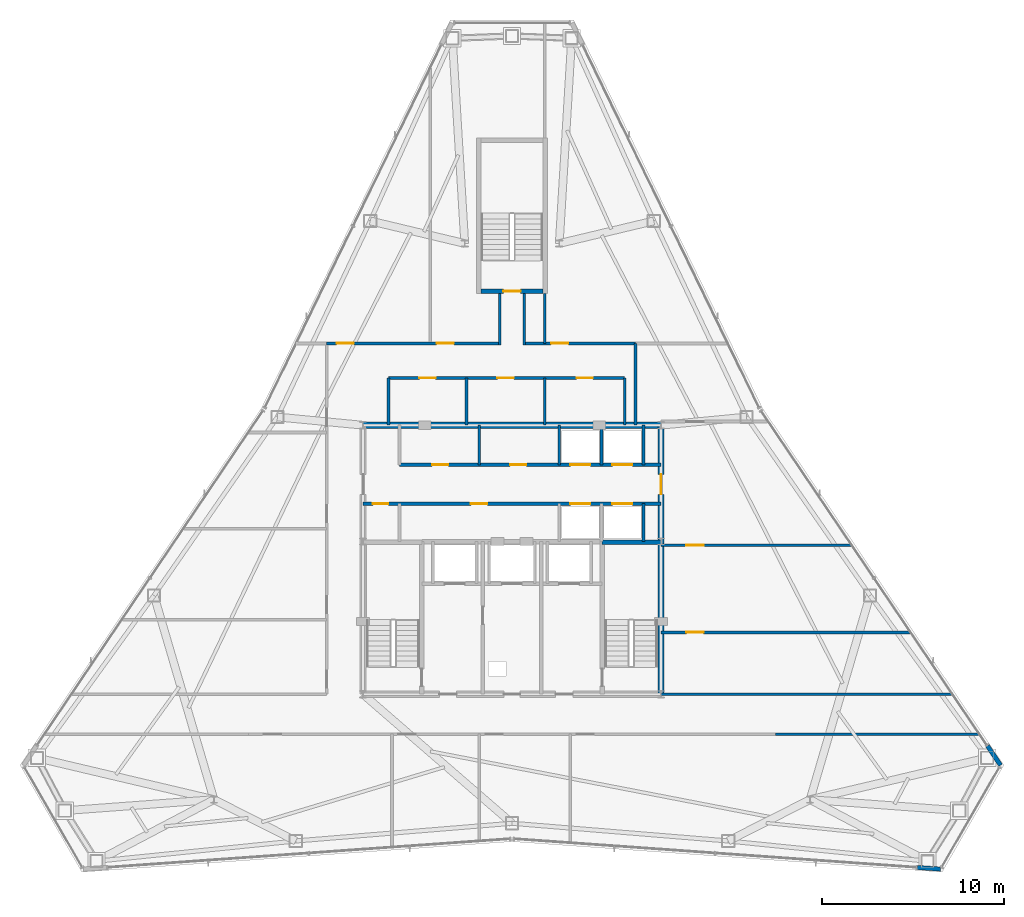
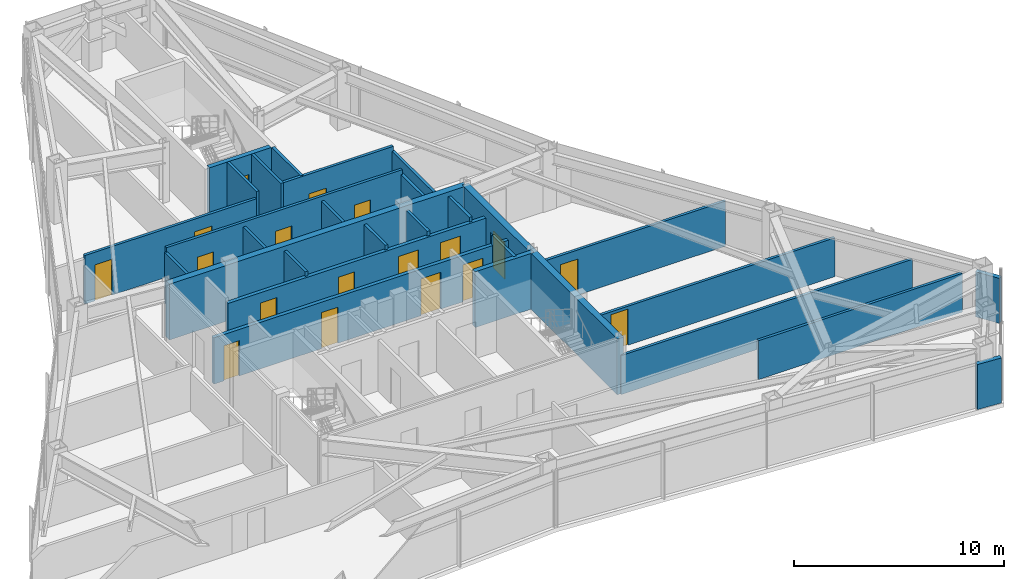
# One storey, part 10 of 12: 28 walls, 18 doors, 18 openings.
"""IFC4 building model written with IfcOpenShell, lengths in metres."""

from ifc_helpers import new_model, si_unit, direction, frame, frame_2d, origin, place, context, subcontext, project, spatial, rectangle, extrude, material, layer, layer_set, type_object, element, fill, save


model = new_model("IFC4")

# Units and contexts
model_context = context("Model", 3, precision=1e-05, world=origin(), true_north=direction((0.0, 1.0)))
body_context = subcontext(model_context, "Body", "Model", "MODEL_VIEW")
ifc_project = project(units=[si_unit("LENGTHUNIT", "METRE"), si_unit("AREAUNIT", "SQUARE_METRE"), si_unit("VOLUMEUNIT", "CUBIC_METRE"), si_unit("PLANEANGLEUNIT", "RADIAN"), si_unit("MASSUNIT", "GRAM", prefix="KILO")], contexts=[model_context])

# Site, building, storey
site_placement = place(None, origin())
site = spatial("IfcSite", under=ifc_project, at=site_placement, CompositionType="ELEMENT")
building_placement = place(site_placement, origin())
building = spatial("IfcBuilding", under=site, at=building_placement, Name="Varakhsha Concourse Tower", CompositionType="ELEMENT")
storey_placement = place(building_placement, frame((0.0, 0.0, 211.89990234375)))
storey = spatial("IfcBuildingStorey", under=building, at=storey_placement, Name="L60", CompositionType="ELEMENT", Elevation=211.89990234375)

# Wall
ifc_material_1 = material(Name="Concrete fc 65 MPa", Category="concrete")
ifc_layer_1 = layer(ifc_material_1, 0.35009765625, Name="WL-CORE-350")
ifc_layer_set_1 = layer_set([ifc_layer_1], Name="Concrete fc 65 MPa")
wall_type_1 = type_object("IfcWallType", Name="WL-CORE-350", PredefinedType="SHEAR", material=ifc_layer_set_1)
wall_1_placement = place(storey_placement, frame((31.800048828125, 31.199951171875, 0.0), z_axis=(0.0, 0.0, 1.0), x_axis=(1.0, 0.0, 0.0)))
element("IfcWall", 1, at=wall_1_placement, inside=storey, type_object=wall_type_1, Name="L60 Wall CWALL-N-L60", PredefinedType="SHEAR", context=body_context, shape_type="SweptSolid", body=[
    extrude(rectangle(XDim=16.39990234375, YDim=0.35009765625, at=frame_2d((8.199951171875, 0.0))), origin(), (0.0, 0.0, 1.0), 3.25),
])

# Wall, opening, door
wall_2_placement = place(storey_placement, frame((48.199951171875, 16.39990234375, 0.0), z_axis=(0.0, 0.0, 1.0), x_axis=(0.0, 1.0, 0.0)))
wall_2 = element("IfcWall", 2, at=wall_2_placement, inside=storey, type_object=wall_type_1, Name="L60 Wall CWALL-E-L60", PredefinedType="SHEAR", context=body_context, shape_type="SweptSolid", body=[
    extrude(rectangle(XDim=14.800048828125, YDim=0.35009765625, at=frame_2d((7.39990234375, 0.0))), origin(), (0.0, 0.0, 1.0), 3.25),
])
opening_1_placement = place(wall_2_placement, frame((11.0, 0.0, 0.0)))
opening_1 = element("IfcOpeningElement", 3, at=opening_1_placement, cuts=wall_2, Name="Opening DL-01", PredefinedType="OPENING", context=body_context, shape_type="SweptSolid", body=[
    extrude(rectangle(XDim=1.10009765625, YDim=2.14990234375, at=frame_2d((0.550048828125, 1.074951171875))), frame((0.0, 0.18505859375, 0.0), z_axis=(0.0, -1.0, 0.0), x_axis=(1.0, 0.0, 0.0)), (0.0, 0.0, 1.0), 0.3701171875),
])
ifc_material_2 = material(Name="Anodised Bronze Architectural Aluminium AA 6063-T6", Category="aluminium")
door_type_1 = type_object("IfcDoorType", Name="DR-LOB-1100", OperationType="NOTDEFINED", PredefinedType="DOOR", material=ifc_material_2)
door_1_placement = place(opening_1_placement, origin())
door_1 = element("IfcDoor", 4, at=door_1_placement, inside=storey, type_object=door_type_1, Name="L60 Lift Lobby East Concourse Door", OperationType="SINGLE_SWING_RIGHT", OverallHeight=2.14990234375, OverallWidth=1.10009765625, PredefinedType="DOOR", context=body_context, shape_type="SweptSolid", body=[
    extrude(rectangle(XDim=1.10009765625, YDim=2.14990234375, at=frame_2d((0.550048828125, 1.074951171875))), frame((0.0, 0.02490234375, 0.0), z_axis=(0.0, -1.0, 0.0), x_axis=(1.0, 0.0, 0.0)), (0.0, 0.0, 1.0), 0.050048828125),
])
fill(opening_1, door_1)

# Walls
ifc_material_3 = material(Name="Concrete fc 45 MPa", Category="concrete")
ifc_layer_2 = layer(ifc_material_3, 0.239990234375, Name="WL-EXT-CRN-240")
ifc_layer_set_2 = layer_set([ifc_layer_2], Name="Concrete fc 45 MPa")
wall_type_2 = type_object("IfcWallType", Name="WL-EXT-CRN-240", PredefinedType="SHEAR", material=ifc_layer_set_2)
wall_3_placement = place(storey_placement, frame((62.2998046875, 6.864501953125, 0.0), z_axis=(0.0, 0.0, 1.0), x_axis=(0.997482703795, -0.070910194111, 0.0)))
element("IfcWall", 5, at=wall_3_placement, inside=storey, type_object=wall_type_2, Name="L60 Wind-Corner Shoulder Wall F6", PredefinedType="SHEAR", context=body_context, shape_type="SweptSolid", body=[
    extrude(rectangle(XDim=1.28759765625, YDim=0.239990234375, at=frame_2d((0.643798828125, 0.0))), origin(), (0.0, 0.0, 1.0), 2.623046875),
])
wall_4_placement = place(storey_placement, frame((66.884033203125, 12.489013671875, 0.0), z_axis=(0.0, 0.0, 1.0), x_axis=(-0.559984079849, 0.828503367715, 0.0)))
element("IfcWall", 6, at=wall_4_placement, inside=storey, type_object=wall_type_2, Name="L60 Wind-Corner Shoulder Wall F8", PredefinedType="SHEAR", context=body_context, shape_type="SweptSolid", body=[
    extrude(rectangle(XDim=1.287353515625, YDim=0.239990234375, at=frame_2d((0.6435546875, 0.0))), origin(), (0.0, 0.0, 1.0), 2.623046875),
])
ifc_material_4 = material(Name="Fire-Rated Type X Gypsum Partition Assembly", Category="gypsum")
ifc_layer_3 = layer(ifc_material_4, 0.14990234375, Name="WL-PART-150")
ifc_layer_set_3 = layer_set([ifc_layer_3], Name="Fire-Rated Type X Gypsum Partition Assembly")
wall_type_3 = type_object("IfcWallType", Name="WL-PART-150", PredefinedType="PARTITIONING", material=ifc_layer_set_3)
wall_5_placement = place(storey_placement, frame((38.199951171875, 29.02001953125, 0.0), z_axis=(0.0, 0.0, 1.0), x_axis=(0.0, 1.0, 0.0)))
element("IfcWall", 7, at=wall_5_placement, inside=storey, type_object=wall_type_3, Name="L60 Wall P1F-D1-L60", PredefinedType="PARTITIONING", context=body_context, shape_type="SweptSolid", body=[
    extrude(rectangle(XDim=2.179931640625, YDim=0.14990234375, at=frame_2d((1.08984375, 0.0))), origin(), (0.0, 0.0, 1.0), 2.97802734375),
])

# Wall, openings, doors
wall_6_placement = place(storey_placement, frame((33.199951171875, 33.800048828125, 0.0), z_axis=(0.0, 0.0, 1.0), x_axis=(1.0, 0.0, 0.0)))
wall_6 = element("IfcWall", 8, at=wall_6_placement, inside=storey, type_object=wall_type_3, Name="L60 Wall NBOH-N-L60", PredefinedType="PARTITIONING", context=body_context, shape_type="SweptSolid", body=[
    extrude(rectangle(XDim=13.0, YDim=0.14990234375, at=frame_2d((6.5, 0.0))), origin(), (0.0, 0.0, 1.0), 3.25),
])
opening_2_placement = place(wall_6_placement, frame((1.699951171875, 0.0, 0.0)))
opening_2 = element("IfcOpeningElement", 9, at=opening_2_placement, cuts=wall_6, Name="Opening DF-06", PredefinedType="OPENING", context=body_context, shape_type="SweptSolid", body=[
    extrude(rectangle(XDim=0.89990234375, YDim=2.10009765625, at=frame_2d((0.449951171875, 1.050048828125))), frame((0.0, 0.0849609375, 0.0), z_axis=(0.0, -1.0, 0.0), x_axis=(1.0, 0.0, 0.0)), (0.0, 0.0, 1.0), 0.169921875),
])
opening_3_placement = place(wall_6_placement, frame((6.0, 0.0, 0.0)))
opening_3 = element("IfcOpeningElement", 10, at=opening_3_placement, cuts=wall_6, Name="Opening DF-06", PredefinedType="OPENING", context=body_context, shape_type="SweptSolid", body=[
    extrude(rectangle(XDim=0.89990234375, YDim=2.10009765625, at=frame_2d((0.449951171875, 1.050048828125))), frame((0.0, 0.0849609375, 0.0), z_axis=(0.0, -1.0, 0.0), x_axis=(1.0, 0.0, 0.0)), (0.0, 0.0, 1.0), 0.169921875),
])
opening_4_placement = place(wall_6_placement, frame((10.35009765625, 0.0, 0.0)))
opening_4 = element("IfcOpeningElement", 11, at=opening_4_placement, cuts=wall_6, Name="Opening DF-06", PredefinedType="OPENING", context=body_context, shape_type="SweptSolid", body=[
    extrude(rectangle(XDim=0.89990234375, YDim=2.10009765625, at=frame_2d((0.449951171875, 1.050048828125))), frame((0.0, 0.0849609375, 0.0), z_axis=(0.0, -1.0, 0.0), x_axis=(1.0, 0.0, 0.0)), (0.0, 0.0, 1.0), 0.169921875),
])
ifc_material_5 = material(Name="Hollow Galvanised Steel Fire Door Assembly", Category="steel")
door_type_2 = type_object("IfcDoorType", Name="DR-FD60-900", OperationType="NOTDEFINED", PredefinedType="DOOR", material=ifc_material_5)
door_2_placement = place(opening_2_placement, origin())
door_2 = element("IfcDoor", 12, at=door_2_placement, inside=storey, type_object=door_type_2, Name="L60 Men Restroom WC Door", OperationType="SINGLE_SWING_LEFT", OverallHeight=2.10009765625, OverallWidth=0.89990234375, PredefinedType="DOOR", context=body_context, shape_type="SweptSolid", body=[
    extrude(rectangle(XDim=0.89990234375, YDim=2.10009765625, at=frame_2d((0.449951171875, 1.050048828125))), frame((0.0, 0.02490234375, 0.0), z_axis=(0.0, -1.0, 0.0), x_axis=(1.0, 0.0, 0.0)), (0.0, 0.0, 1.0), 0.050048828125),
])
fill(opening_2, door_2)
door_3_placement = place(opening_3_placement, origin())
door_3 = element("IfcDoor", 13, at=door_3_placement, inside=storey, type_object=door_type_2, Name="L60 Women Restroom WC Door", OperationType="SINGLE_SWING_RIGHT", OverallHeight=2.10009765625, OverallWidth=0.89990234375, PredefinedType="DOOR", context=body_context, shape_type="SweptSolid", body=[
    extrude(rectangle(XDim=0.89990234375, YDim=2.10009765625, at=frame_2d((0.449951171875, 1.050048828125))), frame((0.0, 0.02490234375, 0.0), z_axis=(0.0, -1.0, 0.0), x_axis=(1.0, 0.0, 0.0)), (0.0, 0.0, 1.0), 0.050048828125),
])
fill(opening_3, door_3)
door_4_placement = place(opening_4_placement, origin())
door_4 = element("IfcDoor", 14, at=door_4_placement, inside=storey, type_object=door_type_2, Name="L60 Accessible WC Door", OperationType="SINGLE_SWING_LEFT", OverallHeight=2.10009765625, OverallWidth=0.89990234375, PredefinedType="DOOR", context=body_context, shape_type="SweptSolid", body=[
    extrude(rectangle(XDim=0.89990234375, YDim=2.10009765625, at=frame_2d((0.449951171875, 1.050048828125))), frame((0.0, 0.02490234375, 0.0), z_axis=(0.0, -1.0, 0.0), x_axis=(1.0, 0.0, 0.0)), (0.0, 0.0, 1.0), 0.050048828125),
])
fill(opening_4, door_4)

# Walls
for number, where, z_axis, x_axis, name in (
    (15, (33.199951171875, 31.199951171875, 0.0), (0.0, 0.0, 1.0), (0.0, 1.0, 0.0), "L60 Wall NBOH-W-L60"),
    (16, (46.199951171875, 31.199951171875, 0.0), (0.0, 0.0, 1.0), (0.0, 1.0, 0.0), "L60 Wall NBOH-E-L60"),
    (17, (37.5, 31.199951171875, 0.0), (0.0, 0.0, 1.0), (0.0, 1.0, 0.0), "L60 Wall NBOH-D1-L60"),
    (18, (41.800048828125, 31.199951171875, 0.0), (0.0, 0.0, 1.0), (0.0, 1.0, 0.0), "L60 Wall NBOH-D2-L60"),
):
    element("IfcWall", number, at=place(storey_placement, frame(where, z_axis=z_axis, x_axis=x_axis)), inside=storey, type_object=wall_type_3, Name=name, PredefinedType="PARTITIONING", context=body_context, shape_type="SweptSolid", body=[
        extrude(rectangle(XDim=2.60009765625, YDim=0.14990234375, at=frame_2d((1.300048828125, 0.0))), origin(), (0.0, 0.0, 1.0), 2.97802734375),
    ])
wall_7_placement = place(storey_placement, frame((54.5, 14.199951171875, 0.0), z_axis=(0.0, 0.0, 1.0), x_axis=(1.0, 0.0, 0.0)))
element("IfcWall", 19, at=wall_7_placement, inside=storey, type_object=wall_type_3, Name="L60 Wall CRW-SGAL-SE-L60", PredefinedType="PARTITIONING", context=body_context, shape_type="SweptSolid", body=[
    extrude(rectangle(XDim=11.221435546875, YDim=0.14990234375, at=frame_2d((5.61083984375, 0.0))), origin(), (0.0, 0.0, 1.0), 2.26513671875),
])
wall_8_placement = place(storey_placement, frame((48.199951171875, 16.39990234375, 0.0), z_axis=(0.0, 0.0, 1.0), x_axis=(1.0, 0.0, 0.0)))
element("IfcWall", 20, at=wall_8_placement, inside=storey, type_object=wall_type_3, Name="L60 Wall CRW-SGAL-NE-L60", PredefinedType="PARTITIONING", context=body_context, shape_type="SweptSolid", body=[
    extrude(rectangle(XDim=16.034423828125, YDim=0.14990234375, at=frame_2d((8.01708984375, 0.0))), origin(), (0.0, 0.0, 1.0), 2.26513671875),
])

# Wall, openings, doors
wall_9_placement = place(storey_placement, frame((29.800048828125, 35.699951171875, 0.0), z_axis=(0.0, 0.0, 1.0), x_axis=(1.0, 0.0, 0.0)))
wall_9 = element("IfcWall", 21, at=wall_9_placement, inside=storey, type_object=wall_type_3, Name="L60 Wall CRW-N-L60", PredefinedType="PARTITIONING", context=body_context, shape_type="SweptSolid", body=[
    extrude(rectangle(XDim=9.449951171875, YDim=0.14990234375, at=frame_2d((4.72509765625, 0.0))), origin(), (0.0, 0.0, 1.0), 2.8330078125),
])
opening_5_placement = place(wall_9_placement, frame((0.550048828125, 0.0, 0.0)))
opening_5 = element("IfcOpeningElement", 22, at=opening_5_placement, cuts=wall_9, Name="Opening DF-05", PredefinedType="OPENING", context=body_context, shape_type="SweptSolid", body=[
    extrude(rectangle(XDim=0.949951171875, YDim=2.10009765625, at=frame_2d((0.47509765625, 1.050048828125))), frame((0.0, 0.0849609375, 0.0), z_axis=(0.0, -1.0, 0.0), x_axis=(1.0, 0.0, 0.0)), (0.0, 0.0, 1.0), 0.169921875),
])
opening_6_placement = place(wall_9_placement, frame((6.050048828125, 0.0, 0.0)))
opening_6 = element("IfcOpeningElement", 23, at=opening_6_placement, cuts=wall_9, Name="Opening DF-05", PredefinedType="OPENING", context=body_context, shape_type="SweptSolid", body=[
    extrude(rectangle(XDim=0.949951171875, YDim=2.10009765625, at=frame_2d((0.47509765625, 1.050048828125))), frame((0.0, 0.0849609375, 0.0), z_axis=(0.0, -1.0, 0.0), x_axis=(1.0, 0.0, 0.0)), (0.0, 0.0, 1.0), 0.169921875),
])
door_type_3 = type_object("IfcDoorType", Name="DR-FD60-950", OperationType="NOTDEFINED", PredefinedType="DOOR", material=ifc_material_5)
door_5_placement = place(opening_5_placement, origin())
door_5 = element("IfcDoor", 24, at=door_5_placement, inside=storey, type_object=door_type_3, Name="L60 Mountain View Grand Corner Boardroom L60-N1 Door", OperationType="SINGLE_SWING_LEFT", OverallHeight=2.10009765625, OverallWidth=0.949951171875, PredefinedType="DOOR", context=body_context, shape_type="SweptSolid", body=[
    extrude(rectangle(XDim=0.949951171875, YDim=2.10009765625, at=frame_2d((0.47509765625, 1.050048828125))), frame((0.0, 0.02490234375, 0.0), z_axis=(0.0, -1.0, 0.0), x_axis=(1.0, 0.0, 0.0)), (0.0, 0.0, 1.0), 0.050048828125),
])
fill(opening_5, door_5)
door_6_placement = place(opening_6_placement, origin())
door_6 = element("IfcDoor", 25, at=door_6_placement, inside=storey, type_object=door_type_3, Name="L60 North Executive Director Suite L60-N2 Door", OperationType="SINGLE_SWING_RIGHT", OverallHeight=2.10009765625, OverallWidth=0.949951171875, PredefinedType="DOOR", context=body_context, shape_type="SweptSolid", body=[
    extrude(rectangle(XDim=0.949951171875, YDim=2.10009765625, at=frame_2d((0.47509765625, 1.050048828125))), frame((0.0, 0.02490234375, 0.0), z_axis=(0.0, -1.0, 0.0), x_axis=(1.0, 0.0, 0.0)), (0.0, 0.0, 1.0), 0.050048828125),
])
fill(opening_6, door_6)

# Wall, opening, door
wall_10_placement = place(storey_placement, frame((40.75, 35.699951171875, 0.0), z_axis=(0.0, 0.0, 1.0), x_axis=(1.0, 0.0, 0.0)))
wall_10 = element("IfcWall", 26, at=wall_10_placement, inside=storey, type_object=wall_type_3, Name="L60 Wall CRW-N-L60-B", PredefinedType="PARTITIONING", context=body_context, shape_type="SweptSolid", body=[
    extrude(rectangle(XDim=6.050048828125, YDim=0.14990234375, at=frame_2d((3.02490234375, 0.0))), origin(), (0.0, 0.0, 1.0), 3.25),
])
opening_7_placement = place(wall_10_placement, frame((1.39990234375, 0.0, 0.0)))
opening_7 = element("IfcOpeningElement", 27, at=opening_7_placement, cuts=wall_10, Name="Opening DF-05", PredefinedType="OPENING", context=body_context, shape_type="SweptSolid", body=[
    extrude(rectangle(XDim=0.949951171875, YDim=2.10009765625, at=frame_2d((0.47509765625, 1.050048828125))), frame((0.0, 0.0849609375, 0.0), z_axis=(0.0, -1.0, 0.0), x_axis=(1.0, 0.0, 0.0)), (0.0, 0.0, 1.0), 0.169921875),
])
door_7_placement = place(opening_7_placement, origin())
door_7 = element("IfcDoor", 28, at=door_7_placement, inside=storey, type_object=door_type_3, Name="L60 North Executive Director Suite L60-N3 Door", OperationType="SINGLE_SWING_LEFT", OverallHeight=2.10009765625, OverallWidth=0.949951171875, PredefinedType="DOOR", context=body_context, shape_type="SweptSolid", body=[
    extrude(rectangle(XDim=0.949951171875, YDim=2.10009765625, at=frame_2d((0.47509765625, 1.050048828125))), frame((0.0, 0.02490234375, 0.0), z_axis=(0.0, -1.0, 0.0), x_axis=(1.0, 0.0, 0.0)), (0.0, 0.0, 1.0), 0.050048828125),
])
fill(opening_7, door_7)

# Wall
wall_11_placement = place(storey_placement, frame((46.800048828125, 31.199951171875, 0.0), z_axis=(0.0, 0.0, 1.0), x_axis=(0.0, 1.0, 0.0)))
element("IfcWall", 29, at=wall_11_placement, inside=storey, type_object=wall_type_3, Name="L60 Wall CRW-NE-L60", PredefinedType="PARTITIONING", context=body_context, shape_type="SweptSolid", body=[
    extrude(rectangle(XDim=4.5, YDim=0.14990234375, at=frame_2d((2.25, 0.0))), origin(), (0.0, 0.0, 1.0), 2.97802734375),
])

# Wall, opening, door
wall_12_placement = place(storey_placement, frame((48.199951171875, 19.800048828125, 0.0), z_axis=(0.0, 0.0, 1.0), x_axis=(1.0, 0.0, 0.0)))
wall_12 = element("IfcWall", 30, at=wall_12_placement, inside=storey, type_object=wall_type_3, Name="L60 Wall ODIV-E1-L60", PredefinedType="PARTITIONING", context=body_context, shape_type="SweptSolid", body=[
    extrude(rectangle(XDim=13.736328125, YDim=0.14990234375, at=frame_2d((6.8681640625, 0.0))), origin(), (0.0, 0.0, 1.0), 2.26513671875),
])
opening_8_placement = place(wall_12_placement, frame((1.39990234375, 0.0, 0.0)))
opening_8 = element("IfcOpeningElement", 31, at=opening_8_placement, cuts=wall_12, Name="Opening DF-05", PredefinedType="OPENING", context=body_context, shape_type="SweptSolid", body=[
    extrude(rectangle(XDim=0.949951171875, YDim=2.10009765625, at=frame_2d((0.47509765625, 1.050048828125))), frame((0.0, 0.0849609375, 0.0), z_axis=(0.0, -1.0, 0.0), x_axis=(1.0, 0.0, 0.0)), (0.0, 0.0, 1.0), 0.169921875),
])
door_8_placement = place(opening_8_placement, origin())
door_8 = element("IfcDoor", 32, at=door_8_placement, inside=storey, type_object=door_type_3, Name="L60 East Suite Interconnect Door 1", OperationType="SINGLE_SWING_LEFT", OverallHeight=2.10009765625, OverallWidth=0.949951171875, PredefinedType="DOOR", context=body_context, shape_type="SweptSolid", body=[
    extrude(rectangle(XDim=0.949951171875, YDim=2.10009765625, at=frame_2d((0.47509765625, 1.050048828125))), frame((0.0, 0.02490234375, 0.0), z_axis=(0.0, -1.0, 0.0), x_axis=(1.0, 0.0, 0.0)), (0.0, 0.0, 1.0), 0.050048828125),
])
fill(opening_8, door_8)

wall_13_placement = place(storey_placement, frame((48.199951171875, 24.60009765625, 0.0), z_axis=(0.0, 0.0, 1.0), x_axis=(1.0, 0.0, 0.0)))
wall_13 = element("IfcWall", 33, at=wall_13_placement, inside=storey, type_object=wall_type_3, Name="L60 Wall ODIV-E2-L60", PredefinedType="PARTITIONING", context=body_context, shape_type="SweptSolid", body=[
    extrude(rectangle(XDim=10.491943359375, YDim=0.14990234375, at=frame_2d((5.24609375, 0.0))), origin(), (0.0, 0.0, 1.0), 2.628173828125),
])
opening_9_placement = place(wall_13_placement, frame((1.39990234375, 0.0, 0.0)))
opening_9 = element("IfcOpeningElement", 34, at=opening_9_placement, cuts=wall_13, Name="Opening DF-05", PredefinedType="OPENING", context=body_context, shape_type="SweptSolid", body=[
    extrude(rectangle(XDim=0.949951171875, YDim=2.10009765625, at=frame_2d((0.47509765625, 1.050048828125))), frame((0.0, 0.0849609375, 0.0), z_axis=(0.0, -1.0, 0.0), x_axis=(1.0, 0.0, 0.0)), (0.0, 0.0, 1.0), 0.169921875),
])
door_9_placement = place(opening_9_placement, origin())
door_9 = element("IfcDoor", 35, at=door_9_placement, inside=storey, type_object=door_type_3, Name="L60 East Suite Interconnect Door 2", OperationType="SINGLE_SWING_RIGHT", OverallHeight=2.10009765625, OverallWidth=0.949951171875, PredefinedType="DOOR", context=body_context, shape_type="SweptSolid", body=[
    extrude(rectangle(XDim=0.949951171875, YDim=2.10009765625, at=frame_2d((0.47509765625, 1.050048828125))), frame((0.0, 0.02490234375, 0.0), z_axis=(0.0, -1.0, 0.0), x_axis=(1.0, 0.0, 0.0)), (0.0, 0.0, 1.0), 0.050048828125),
])
fill(opening_9, door_9)

# Walls
wall_14_placement = place(storey_placement, frame((41.800048828125, 35.699951171875, 0.0), z_axis=(0.0, 0.0, 1.0), x_axis=(0.0, 1.0, 0.0)))
element("IfcWall", 36, at=wall_14_placement, inside=storey, type_object=wall_type_3, Name="L60 Wall ODIV-N2-L60", PredefinedType="PARTITIONING", context=body_context, shape_type="SweptSolid", body=[
    extrude(rectangle(XDim=2.75, YDim=0.14990234375, at=frame_2d((1.375, 0.0))), origin(), (0.0, 0.0, 1.0), 3.25),
])
for number, where, z_axis, x_axis, name in (
    (37, (39.324951171875, 35.625, 0.0), (0.0, 0.0, 1.0), (0.0, 1.0, 0.0), "L60 Wall STUB-W-L60"),
    (38, (40.675048828125, 35.625, 0.0), (0.0, 0.0, 1.0), (0.0, 1.0, 0.0), "L60 Wall STUB-E-L60"),
):
    element("IfcWall", number, at=place(storey_placement, frame(where, z_axis=z_axis, x_axis=x_axis)), inside=storey, type_object=wall_type_3, Name=name, PredefinedType="PARTITIONING", context=body_context, shape_type="SweptSolid", body=[
        extrude(rectangle(XDim=2.824951171875, YDim=0.14990234375, at=frame_2d((1.41259765625, 0.0))), origin(), (0.0, 0.0, 1.0), 3.25),
    ])

# Wall, openings, doors
ifc_layer_4 = layer(ifc_material_4, 0.199951171875, Name="WL-SHAFT-220")
ifc_layer_set_4 = layer_set([ifc_layer_4], Name="Fire-Rated Type X Gypsum Partition Assembly")
wall_type_4 = type_object("IfcWallType", Name="WL-SHAFT-220", PredefinedType="SOLIDWALL", material=ifc_layer_set_4)
wall_15_placement = place(storey_placement, frame((33.820068359375, 29.02001953125, 0.0), z_axis=(0.0, 0.0, 1.0), x_axis=(1.0, 0.0, 0.0)))
wall_15 = element("IfcWall", 39, at=wall_15_placement, inside=storey, type_object=wall_type_4, Name="L60 Wall PLW-N-L60", PredefinedType="SOLIDWALL", context=body_context, shape_type="SweptSolid", body=[
    extrude(rectangle(XDim=14.3798828125, YDim=0.199951171875, at=frame_2d((7.18994140625, 0.0))), origin(), (0.0, 0.0, 1.0), 2.705078125),
])
opening_10_placement = place(wall_15_placement, frame((1.780029296875, 0.0, 0.0)))
opening_10 = element("IfcOpeningElement", 40, at=opening_10_placement, cuts=wall_15, Name="Opening DF-06", PredefinedType="OPENING", context=body_context, shape_type="SweptSolid", body=[
    extrude(rectangle(XDim=0.89990234375, YDim=2.10009765625, at=frame_2d((0.449951171875, 1.050048828125))), frame((0.0, 0.10986328125, 0.0), z_axis=(0.0, -1.0, 0.0), x_axis=(1.0, 0.0, 0.0)), (0.0, 0.0, 1.0), 0.219970703125),
])
opening_11_placement = place(wall_15_placement, frame((6.070068359375, 0.0, 0.0)))
opening_11 = element("IfcOpeningElement", 41, at=opening_11_placement, cuts=wall_15, Name="Opening DF-06", PredefinedType="OPENING", context=body_context, shape_type="SweptSolid", body=[
    extrude(rectangle(XDim=0.89990234375, YDim=2.10009765625, at=frame_2d((0.449951171875, 1.050048828125))), frame((0.0, 0.10986328125, 0.0), z_axis=(0.0, -1.0, 0.0), x_axis=(1.0, 0.0, 0.0)), (0.0, 0.0, 1.0), 0.219970703125),
])
opening_12_placement = place(wall_15_placement, frame((9.389892578125, 0.0, 0.0)))
opening_12 = element("IfcOpeningElement", 42, at=opening_12_placement, cuts=wall_15, Name="Opening LD-LF-P09", PredefinedType="OPENING", context=body_context, shape_type="SweptSolid", body=[
    extrude(rectangle(XDim=1.10009765625, YDim=2.14990234375, at=frame_2d((0.550048828125, 1.074951171875))), frame((0.0, 0.10986328125, 0.0), z_axis=(0.0, -1.0, 0.0), x_axis=(1.0, 0.0, 0.0)), (0.0, 0.0, 1.0), 0.219970703125),
])
opening_13_placement = place(wall_15_placement, frame((11.7099609375, 0.0, 0.0)))
opening_13 = element("IfcOpeningElement", 43, at=opening_13_placement, cuts=wall_15, Name="Opening LD-LF-P10", PredefinedType="OPENING", context=body_context, shape_type="SweptSolid", body=[
    extrude(rectangle(XDim=1.10009765625, YDim=2.14990234375, at=frame_2d((0.550048828125, 1.074951171875))), frame((0.0, 0.10986328125, 0.0), z_axis=(0.0, -1.0, 0.0), x_axis=(1.0, 0.0, 0.0)), (0.0, 0.0, 1.0), 0.219970703125),
])
door_10_placement = place(opening_10_placement, origin())
door_10 = element("IfcDoor", 44, at=door_10_placement, inside=storey, type_object=door_type_2, Name="L60 Tenant Archive and IT Server Room Door", OperationType="SINGLE_SWING_LEFT", OverallHeight=2.10009765625, OverallWidth=0.89990234375, PredefinedType="DOOR", context=body_context, shape_type="SweptSolid", body=[
    extrude(rectangle(XDim=0.89990234375, YDim=2.10009765625, at=frame_2d((0.449951171875, 1.050048828125))), frame((0.0, 0.02490234375, 0.0), z_axis=(0.0, -1.0, 0.0), x_axis=(1.0, 0.0, 0.0)), (0.0, 0.0, 1.0), 0.050048828125),
])
fill(opening_10, door_10)
door_11_placement = place(opening_11_placement, origin())
door_11 = element("IfcDoor", 45, at=door_11_placement, inside=storey, type_object=door_type_2, Name="L60 Core Facility Closet N1 Door", OperationType="SINGLE_SWING_RIGHT", OverallHeight=2.10009765625, OverallWidth=0.89990234375, PredefinedType="DOOR", context=body_context, shape_type="SweptSolid", body=[
    extrude(rectangle(XDim=0.89990234375, YDim=2.10009765625, at=frame_2d((0.449951171875, 1.050048828125))), frame((0.0, 0.02490234375, 0.0), z_axis=(0.0, -1.0, 0.0), x_axis=(1.0, 0.0, 0.0)), (0.0, 0.0, 1.0), 0.050048828125),
])
fill(opening_11, door_11)
ifc_material_6 = material(Name="Brushed Austenitic Stainless Steel AISI 316", Category="steel")
door_type_4 = type_object("IfcDoorType", Name="DR-LD-1100", OperationType="DOUBLE_DOOR_SLIDING", PredefinedType="DOOR", material=ifc_material_6)
door_12_placement = place(opening_12_placement, origin())
door_12 = element("IfcDoor", 46, at=door_12_placement, inside=storey, type_object=door_type_4, Name="Lift Landing Door LF-P09 L60", OperationType="DOUBLE_DOOR_SLIDING", OverallHeight=2.14990234375, OverallWidth=1.10009765625, PredefinedType="DOOR", context=body_context, shape_type="SweptSolid", body=[
    extrude(rectangle(XDim=1.10009765625, YDim=2.14990234375, at=frame_2d((0.550048828125, 1.074951171875))), frame((0.0, 0.02490234375, 0.0), z_axis=(0.0, -1.0, 0.0), x_axis=(1.0, 0.0, 0.0)), (0.0, 0.0, 1.0), 0.050048828125),
])
fill(opening_12, door_12)
door_13_placement = place(opening_13_placement, origin())
door_13 = element("IfcDoor", 47, at=door_13_placement, inside=storey, type_object=door_type_4, Name="Lift Landing Door LF-P10 L60", OperationType="DOUBLE_DOOR_SLIDING", OverallHeight=2.14990234375, OverallWidth=1.10009765625, PredefinedType="DOOR", context=body_context, shape_type="SweptSolid", body=[
    extrude(rectangle(XDim=1.10009765625, YDim=2.14990234375, at=frame_2d((0.550048828125, 1.074951171875))), frame((0.0, 0.02490234375, 0.0), z_axis=(0.0, -1.0, 0.0), x_axis=(1.0, 0.0, 0.0)), (0.0, 0.0, 1.0), 0.050048828125),
])
fill(opening_13, door_13)

wall_16_placement = place(storey_placement, frame((31.800048828125, 26.8798828125, 0.0), z_axis=(0.0, 0.0, 1.0), x_axis=(1.0, 0.0, 0.0)))
wall_16 = element("IfcWall", 48, at=wall_16_placement, inside=storey, type_object=wall_type_4, Name="L60 Wall PLW-S-L60", PredefinedType="SOLIDWALL", context=body_context, shape_type="SweptSolid", body=[
    extrude(rectangle(XDim=16.39990234375, YDim=0.199951171875, at=frame_2d((8.199951171875, 0.0))), origin(), (0.0, 0.0, 1.0), 2.705078125),
])
opening_14_placement = place(wall_16_placement, frame((0.550048828125, 0.0, 0.0)))
opening_14 = element("IfcOpeningElement", 49, at=opening_14_placement, cuts=wall_16, Name="Opening DF-07", PredefinedType="OPENING", context=body_context, shape_type="SweptSolid", body=[
    extrude(rectangle(XDim=0.85009765625, YDim=2.050048828125, at=frame_2d((0.425048828125, 1.02490234375))), frame((0.0, 0.10986328125, 0.0), z_axis=(0.0, -1.0, 0.0), x_axis=(1.0, 0.0, 0.0)), (0.0, 0.0, 1.0), 0.219970703125),
])
opening_15_placement = place(wall_16_placement, frame((5.93994140625, 0.0, 0.0)))
opening_15 = element("IfcOpeningElement", 50, at=opening_15_placement, cuts=wall_16, Name="Opening DF-06", PredefinedType="OPENING", context=body_context, shape_type="SweptSolid", body=[
    extrude(rectangle(XDim=0.89990234375, YDim=2.10009765625, at=frame_2d((0.449951171875, 1.050048828125))), frame((0.0, 0.10986328125, 0.0), z_axis=(0.0, -1.0, 0.0), x_axis=(1.0, 0.0, 0.0)), (0.0, 0.0, 1.0), 0.219970703125),
])
opening_16_placement = place(wall_16_placement, frame((11.409912109375, 0.0, 0.0)))
opening_16 = element("IfcOpeningElement", 51, at=opening_16_placement, cuts=wall_16, Name="Opening LD-LF-P11", PredefinedType="OPENING", context=body_context, shape_type="SweptSolid", body=[
    extrude(rectangle(XDim=1.10009765625, YDim=2.14990234375, at=frame_2d((0.550048828125, 1.074951171875))), frame((0.0, 0.10986328125, 0.0), z_axis=(0.0, -1.0, 0.0), x_axis=(1.0, 0.0, 0.0)), (0.0, 0.0, 1.0), 0.219970703125),
])
opening_17_placement = place(wall_16_placement, frame((13.72998046875, 0.0, 0.0)))
opening_17 = element("IfcOpeningElement", 52, at=opening_17_placement, cuts=wall_16, Name="Opening LD-LF-P12", PredefinedType="OPENING", context=body_context, shape_type="SweptSolid", body=[
    extrude(rectangle(XDim=1.10009765625, YDim=2.14990234375, at=frame_2d((0.550048828125, 1.074951171875))), frame((0.0, 0.10986328125, 0.0), z_axis=(0.0, -1.0, 0.0), x_axis=(1.0, 0.0, 0.0)), (0.0, 0.0, 1.0), 0.219970703125),
])
door_type_5 = type_object("IfcDoorType", Name="DR-FD60-850", OperationType="NOTDEFINED", PredefinedType="DOOR", material=ifc_material_5)
door_14_placement = place(opening_14_placement, origin())
door_14 = element("IfcDoor", 53, at=door_14_placement, inside=storey, type_object=door_type_5, Name="L60 Core Telecoms Closet Door", OperationType="SINGLE_SWING_RIGHT", OverallHeight=2.050048828125, OverallWidth=0.85009765625, PredefinedType="DOOR", context=body_context, shape_type="SweptSolid", body=[
    extrude(rectangle(XDim=0.85009765625, YDim=2.050048828125, at=frame_2d((0.425048828125, 1.02490234375))), frame((0.0, 0.02490234375, 0.0), z_axis=(0.0, -1.0, 0.0), x_axis=(1.0, 0.0, 0.0)), (0.0, 0.0, 1.0), 0.050048828125),
])
fill(opening_14, door_14)
door_15_placement = place(opening_15_placement, origin())
door_15 = element("IfcDoor", 54, at=door_15_placement, inside=storey, type_object=door_type_2, Name="L60 Executive Pantry and Copy Suite Door", OperationType="SINGLE_SWING_RIGHT", OverallHeight=2.10009765625, OverallWidth=0.89990234375, PredefinedType="DOOR", context=body_context, shape_type="SweptSolid", body=[
    extrude(rectangle(XDim=0.89990234375, YDim=2.10009765625, at=frame_2d((0.449951171875, 1.050048828125))), frame((0.0, 0.02490234375, 0.0), z_axis=(0.0, -1.0, 0.0), x_axis=(1.0, 0.0, 0.0)), (0.0, 0.0, 1.0), 0.050048828125),
])
fill(opening_15, door_15)
door_16_placement = place(opening_16_placement, origin())
door_16 = element("IfcDoor", 55, at=door_16_placement, inside=storey, type_object=door_type_4, Name="Lift Landing Door LF-P11 L60", OperationType="DOUBLE_DOOR_SLIDING", OverallHeight=2.14990234375, OverallWidth=1.10009765625, PredefinedType="DOOR", context=body_context, shape_type="SweptSolid", body=[
    extrude(rectangle(XDim=1.10009765625, YDim=2.14990234375, at=frame_2d((0.550048828125, 1.074951171875))), frame((0.0, 0.02490234375, 0.0), z_axis=(0.0, -1.0, 0.0), x_axis=(1.0, 0.0, 0.0)), (0.0, 0.0, 1.0), 0.050048828125),
])
fill(opening_16, door_16)
door_17_placement = place(opening_17_placement, origin())
door_17 = element("IfcDoor", 56, at=door_17_placement, inside=storey, type_object=door_type_4, Name="Lift Landing Door LF-P12 L60", OperationType="DOUBLE_DOOR_SLIDING", OverallHeight=2.14990234375, OverallWidth=1.10009765625, PredefinedType="DOOR", context=body_context, shape_type="SweptSolid", body=[
    extrude(rectangle(XDim=1.10009765625, YDim=2.14990234375, at=frame_2d((0.550048828125, 1.074951171875))), frame((0.0, 0.02490234375, 0.0), z_axis=(0.0, -1.0, 0.0), x_axis=(1.0, 0.0, 0.0)), (0.0, 0.0, 1.0), 0.050048828125),
])
fill(opening_17, door_17)

# Walls
for number, where, z_axis, x_axis, name in (
    (57, (42.60009765625, 29.02001953125, 0.0), (0.0, 0.0, 1.0), (0.0, 1.0, 0.0), "L60 Wall SHW-LF-P09-W-L60"),
    (58, (44.919921875, 29.02001953125, 0.0), (0.0, 0.0, 1.0), (0.0, 1.0, 0.0), "L60 Wall SHW-LF-P09-E-L60"),
    (59, (47.239990234375, 29.02001953125, 0.0), (0.0, 0.0, 1.0), (0.0, 1.0, 0.0), "L60 Wall SHW-LF-P10-E-L60"),
):
    element("IfcWall", number, at=place(storey_placement, frame(where, z_axis=z_axis, x_axis=x_axis)), inside=storey, type_object=wall_type_4, Name=name, PredefinedType="SOLIDWALL", context=body_context, shape_type="SweptSolid", body=[
        extrude(rectangle(XDim=2.179931640625, YDim=0.159912109375, at=frame_2d((1.08984375, 0.0))), origin(), (0.0, 0.0, 1.0), 2.97802734375),
    ])
wall_17_placement = place(storey_placement, frame((47.239990234375, 24.800048828125, 0.0), z_axis=(0.0, 0.0, 1.0), x_axis=(0.0, 1.0, 0.0)))
element("IfcWall", 60, at=wall_17_placement, inside=storey, type_object=wall_type_4, Name="L60 Wall SHW-LF-P12-E-L60", PredefinedType="SOLIDWALL", context=body_context, shape_type="SweptSolid", body=[
    extrude(rectangle(XDim=2.079833984375, YDim=0.159912109375, at=frame_2d((1.0400390625, 0.0))), origin(), (0.0, 0.0, 1.0), 3.25),
])
ifc_layer_5 = layer(ifc_material_3, 0.25, Name="WL-STAIR-250")
ifc_layer_set_5 = layer_set([ifc_layer_5], Name="Concrete fc 45 MPa")
wall_type_5 = type_object("IfcWallType", Name="WL-STAIR-250", PredefinedType="SHEAR", material=ifc_layer_set_5)
wall_18_placement = place(storey_placement, frame((44.955078125, 24.7548828125, 0.0), z_axis=(0.0, 0.0, 1.0), x_axis=(1.0, 0.0, 0.0)))
element("IfcWall", 61, at=wall_18_placement, inside=storey, type_object=wall_type_5, Name="L60 Wall SWALL-ST2-N-L60", PredefinedType="SHEAR", context=body_context, shape_type="SweptSolid", body=[
    extrude(rectangle(XDim=3.244873046875, YDim=0.25, at=frame_2d((1.62255859375, 0.0))), origin(), (0.0, 0.0, 1.0), 3.25),
])

# Wall, opening, door
wall_19_placement = place(storey_placement, frame((38.300048828125, 38.574951171875, 0.0), z_axis=(0.0, 0.0, 1.0), x_axis=(1.0, 0.0, 0.0)))
wall_19 = element("IfcWall", 62, at=wall_19_placement, inside=storey, type_object=wall_type_5, Name="L60 Wall SWALL-ST5-S-L60", PredefinedType="SHEAR", context=body_context, shape_type="SweptSolid", body=[
    extrude(rectangle(XDim=3.39990234375, YDim=0.25, at=frame_2d((1.699951171875, 0.0))), origin(), (0.0, 0.0, 1.0), 3.25),
])
opening_18_placement = place(wall_19_placement, frame((1.22509765625, 0.0, 0.0)))
opening_18 = element("IfcOpeningElement", 63, at=opening_18_placement, cuts=wall_19, Name="Opening DF-03", PredefinedType="OPENING", context=body_context, shape_type="SweptSolid", body=[
    extrude(rectangle(XDim=0.949951171875, YDim=2.10009765625, at=frame_2d((0.47509765625, 1.050048828125))), frame((0.0, 0.135009765625, 0.0), z_axis=(0.0, -1.0, 0.0), x_axis=(1.0, 0.0, 0.0)), (0.0, 0.0, 1.0), 0.27001953125),
])
door_type_6 = type_object("IfcDoorType", Name="DR-FD90-950", OperationType="NOTDEFINED", PredefinedType="DOOR", material=ifc_material_5)
door_18_placement = place(opening_18_placement, origin())
door_18 = element("IfcDoor", 64, at=door_18_placement, inside=storey, type_object=door_type_6, Name="L60 Stair ST5 Fire Door", OperationType="SINGLE_SWING_RIGHT", OverallHeight=2.10009765625, OverallWidth=0.949951171875, PredefinedType="DOOR", context=body_context, shape_type="SweptSolid", body=[
    extrude(rectangle(XDim=0.949951171875, YDim=2.10009765625, at=frame_2d((0.47509765625, 1.050048828125))), frame((0.0, 0.02490234375, 0.0), z_axis=(0.0, -1.0, 0.0), x_axis=(1.0, 0.0, 0.0)), (0.0, 0.0, 1.0), 0.050048828125),
])
fill(opening_18, door_18)

save(model, "model.ifc")
